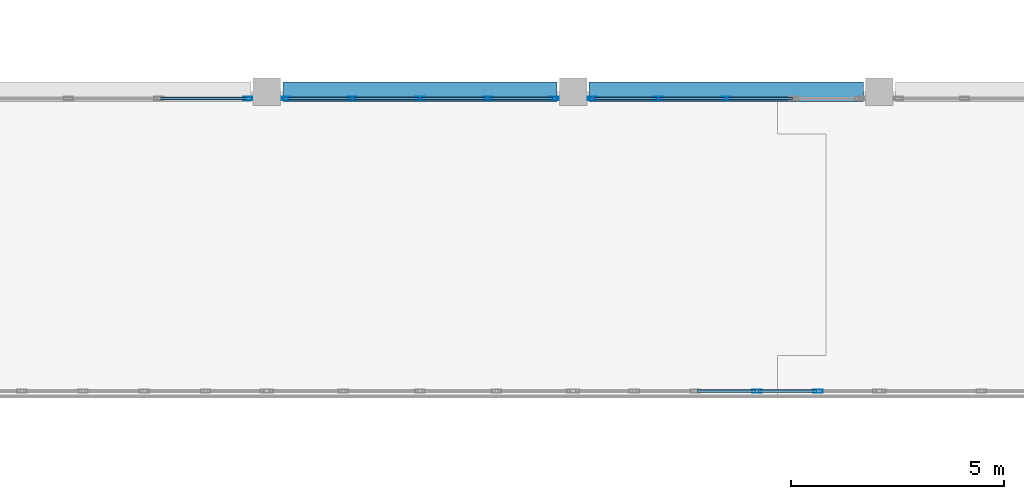
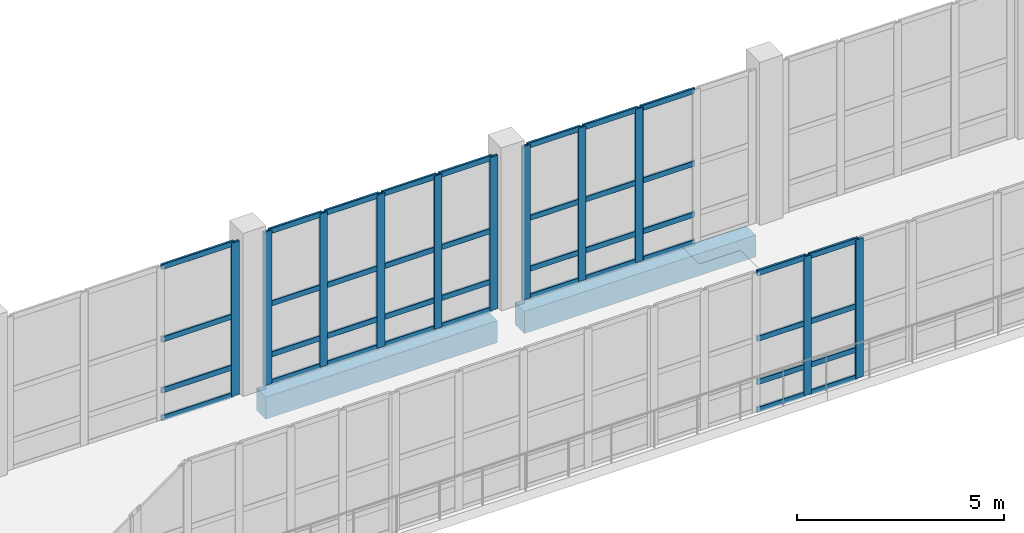
# One storey, part 24 of 127: 51 members, 2 beams, 4 elements without a shape of their own.
"""IFC4 building model written with IfcOpenShell, lengths in metres."""

from ifc_helpers import new_model, si_unit, direction, frame, origin, origin_2d, place, context, subcontext, project, spatial, rectangle, hollow_rectangle, extrude, material, material_profile, profile_set, type_object, element, aggregate, save


model = new_model("IFC4")

# Units and contexts
model_context = context("Model", 3, precision=1e-05, world=origin(), true_north=direction((0.0, 1.0)))
body_context = subcontext(model_context, "Body", "Model", "MODEL_VIEW")
ifc_project = project(units=[si_unit("LENGTHUNIT", "METRE"), si_unit("AREAUNIT", "SQUARE_METRE"), si_unit("VOLUMEUNIT", "CUBIC_METRE"), si_unit("PLANEANGLEUNIT", "RADIAN"), si_unit("MASSUNIT", "GRAM", prefix="KILO")], contexts=[model_context])

# Site, building, storey
site_placement = place(None, origin())
site = spatial("IfcSite", under=ifc_project, at=site_placement, CompositionType="ELEMENT")
building_placement = place(site_placement, origin())
building = spatial("IfcBuilding", under=site, at=building_placement, Name="Kalmorath City Hall", CompositionType="ELEMENT")
storey_placement = place(building_placement, frame((0.0, 0.0, 5.39990234375)))
storey = spatial("IfcBuildingStorey", under=building, at=storey_placement, Name="L01", CompositionType="ELEMENT", Elevation=5.39990234375)

# Beams
ifc_material_1 = material(Name="Concrete C40/50", Category="concrete")
ifc_material_profile_1 = material_profile(ifc_material_1, rectangle(XDim=0.449951171875, YDim=0.64990234375, at=origin_2d()), Name="RC-BM-450X650")
ifc_profile_set_1 = profile_set([ifc_material_profile_1], Name="Concrete C40/50")
beam_type = type_object("IfcBeamType", Name="Concrete spandrel beam 450x650", PredefinedType="SPANDREL", material=ifc_profile_set_1)
beam_1_placement = place(storey_placement, frame((50.77490234375, 43.199951171875, -0.64892578125), z_axis=(1.0, 0.0, 0.0), x_axis=(0.0, 1.0, 0.0)))
element("IfcBeam", 1, at=beam_1_placement, inside=storey, type_object=beam_type, Name="L01 girder CB5 X8-9/7", PredefinedType="SPANDREL", context=body_context, shape_type="SweptSolid", body=[
    extrude(rectangle(XDim=0.449951171875, YDim=0.64990234375, at=origin_2d()), origin(), (0.0, 0.0, 1.0), 6.4501953125),
])
beam_2_placement = place(storey_placement, frame((57.97509765625, 43.199951171875, -0.64892578125), z_axis=(1.0, 0.0, 0.0), x_axis=(0.0, 1.0, 0.0)))
element("IfcBeam", 2, at=beam_2_placement, inside=storey, type_object=beam_type, Name="L01 girder CB5 X9-10/7", PredefinedType="SPANDREL", context=body_context, shape_type="SweptSolid", body=[
    extrude(rectangle(XDim=0.449951171875, YDim=0.64990234375, at=origin_2d()), origin(), (0.0, 0.0, 1.0), 6.449951171875),
])

# Curtain wall, members
ifc_material_2 = material(Name="Anodised aluminium and laminated glass", Category="aluminium")
curtain_wall_type_1 = type_object("IfcCurtainWallType", Name="Unitised hurricane curtain wall 7200x4090 M1500", PredefinedType="NOTDEFINED", material=ifc_material_2)
curtain_wall_1_placement = place(storey_placement, origin())
curtain_wall_1 = element("IfcCurtainWall", 3, at=curtain_wall_1_placement, inside=storey, type_object=curtain_wall_type_1, Name="L01 curtain wall CW-72X41M15 #76", PredefinedType="NOTDEFINED")
ifc_material_3 = material(Name="Anodised aluminium framing", Category="aluminium")
ifc_material_profile_2 = material_profile(ifc_material_3, hollow_rectangle(XDim=0.074951171875, YDim=0.219970703125, WallThickness=0.00390625, InnerFilletRadius=0.00390625, OuterFilletRadius=0.008056640625, at=origin_2d()), Name="ALU-MUL-220X75X4")
ifc_profile_set_2 = profile_set([ifc_material_profile_2], Name="Anodised aluminium framing")
member_type_1 = type_object("IfcMemberType", Name="Curtain-wall primary mullion 220x75", PredefinedType="MULLION", material=ifc_profile_set_2)
member_1_placement = place(storey_placement, frame((63.360107421875, 36.159912109375, 0.0), z_axis=(0.0, 0.0, 1.0), x_axis=(0.0, -1.0, 0.0)))
member_1 = element("IfcMember", 4, at=member_1_placement, type_object=member_type_1, Name="CW-72X41M15 mullion 2", PredefinedType="MULLION", context=body_context, shape_type="SweptSolid", body=[
    extrude(hollow_rectangle(XDim=0.074951171875, YDim=0.219970703125, WallThickness=0.00390625, InnerFilletRadius=0.00390625, OuterFilletRadius=0.008056640625, at=origin_2d()), origin(), (0.0, 0.0, 1.0), 4.090087890625),
])
member_2_placement = place(storey_placement, frame((61.919921875, 36.159912109375, 0.0), z_axis=(0.0, 0.0, 1.0), x_axis=(0.0, -1.0, 0.0)))
member_2 = element("IfcMember", 5, at=member_2_placement, type_object=member_type_1, Name="CW-72X41M15 mullion 3", PredefinedType="MULLION", context=body_context, shape_type="SweptSolid", body=[
    extrude(hollow_rectangle(XDim=0.074951171875, YDim=0.219970703125, WallThickness=0.00390625, InnerFilletRadius=0.00390625, OuterFilletRadius=0.008056640625, at=origin_2d()), origin(), (0.0, 0.0, 1.0), 4.090087890625),
])

# Curtain wall, member
ifc_material_4 = material(Name="Anodised aluminium and laminated glass", Category="aluminium")
curtain_wall_type_2 = type_object("IfcCurtainWallType", Name="Unitised hurricane curtain wall 6370x4520 M2100", PredefinedType="NOTDEFINED", material=ifc_material_4)
curtain_wall_2_placement = place(storey_placement, origin())
curtain_wall_2 = element("IfcCurtainWall", 6, at=curtain_wall_2_placement, inside=storey, type_object=curtain_wall_type_2, Name="L01 curtain wall CW-64X45M21 #83", PredefinedType="NOTDEFINED")
member_3_placement = place(storey_placement, frame((49.947509765625, 43.0400390625, 0.0), z_axis=(0.0, 0.0, 1.0), x_axis=(0.0, 1.0, 0.0)))
member_3 = element("IfcMember", 7, at=member_3_placement, type_object=member_type_1, Name="CW-64X45M21 mullion 4", PredefinedType="MULLION", context=body_context, shape_type="SweptSolid", body=[
    extrude(hollow_rectangle(XDim=0.074951171875, YDim=0.219970703125, WallThickness=0.00390625, InnerFilletRadius=0.00390625, OuterFilletRadius=0.008056640625, at=origin_2d()), origin(), (0.0, 0.0, 1.0), 4.52001953125),
])

# Curtain wall, members
ifc_material_5 = material(Name="Anodised aluminium and laminated glass", Category="aluminium")
curtain_wall_type_3 = type_object("IfcCurtainWallType", Name="Unitised hurricane curtain wall 6370x4520 M1500", PredefinedType="NOTDEFINED", material=ifc_material_5)
curtain_wall_3_placement = place(storey_placement, origin())
curtain_wall_3 = element("IfcCurtainWall", 8, at=curtain_wall_3_placement, inside=storey, type_object=curtain_wall_type_3, Name="L01 curtain wall CW-64X45M15 #84", PredefinedType="NOTDEFINED")
member_4_placement = place(storey_placement, frame((50.8525390625, 43.0400390625, 0.0), z_axis=(0.0, 0.0, 1.0), x_axis=(0.0, 1.0, 0.0)))
member_4 = element("IfcMember", 9, at=member_4_placement, type_object=member_type_1, Name="CW-64X45M15 mullion 1", PredefinedType="MULLION", context=body_context, shape_type="SweptSolid", body=[
    extrude(hollow_rectangle(XDim=0.074951171875, YDim=0.219970703125, WallThickness=0.00390625, InnerFilletRadius=0.00390625, OuterFilletRadius=0.008056640625, at=origin_2d()), origin(), (0.0, 0.0, 1.0), 4.52001953125),
])
member_5_placement = place(storey_placement, frame((52.407470703125, 43.0400390625, 0.0), z_axis=(0.0, 0.0, 1.0), x_axis=(0.0, 1.0, 0.0)))
member_5 = element("IfcMember", 10, at=member_5_placement, type_object=member_type_1, Name="CW-64X45M15 mullion 2", PredefinedType="MULLION", context=body_context, shape_type="SweptSolid", body=[
    extrude(hollow_rectangle(XDim=0.074951171875, YDim=0.219970703125, WallThickness=0.00390625, InnerFilletRadius=0.00390625, OuterFilletRadius=0.008056640625, at=origin_2d()), origin(), (0.0, 0.0, 1.0), 4.52001953125),
])
member_6_placement = place(storey_placement, frame((54.0, 43.0400390625, 0.0), z_axis=(0.0, 0.0, 1.0), x_axis=(0.0, 1.0, 0.0)))
member_6 = element("IfcMember", 11, at=member_6_placement, type_object=member_type_1, Name="CW-64X45M15 mullion 3", PredefinedType="MULLION", context=body_context, shape_type="SweptSolid", body=[
    extrude(hollow_rectangle(XDim=0.074951171875, YDim=0.219970703125, WallThickness=0.00390625, InnerFilletRadius=0.00390625, OuterFilletRadius=0.008056640625, at=origin_2d()), origin(), (0.0, 0.0, 1.0), 4.52001953125),
])
member_7_placement = place(storey_placement, frame((55.592529296875, 43.0400390625, 0.0), z_axis=(0.0, 0.0, 1.0), x_axis=(0.0, 1.0, 0.0)))
member_7 = element("IfcMember", 12, at=member_7_placement, type_object=member_type_1, Name="CW-64X45M15 mullion 4", PredefinedType="MULLION", context=body_context, shape_type="SweptSolid", body=[
    extrude(hollow_rectangle(XDim=0.074951171875, YDim=0.219970703125, WallThickness=0.00390625, InnerFilletRadius=0.00390625, OuterFilletRadius=0.008056640625, at=origin_2d()), origin(), (0.0, 0.0, 1.0), 4.52001953125),
])
member_8_placement = place(storey_placement, frame((57.1474609375, 43.0400390625, 0.0), z_axis=(0.0, 0.0, 1.0), x_axis=(0.0, 1.0, 0.0)))
member_8 = element("IfcMember", 13, at=member_8_placement, type_object=member_type_1, Name="CW-64X45M15 mullion 5", PredefinedType="MULLION", context=body_context, shape_type="SweptSolid", body=[
    extrude(hollow_rectangle(XDim=0.074951171875, YDim=0.219970703125, WallThickness=0.00390625, InnerFilletRadius=0.00390625, OuterFilletRadius=0.008056640625, at=origin_2d()), origin(), (0.0, 0.0, 1.0), 4.52001953125),
])

ifc_material_6 = material(Name="Anodised aluminium and laminated glass", Category="aluminium")
curtain_wall_type_4 = type_object("IfcCurtainWallType", Name="Unitised hurricane curtain wall 6370x4520 M1800", PredefinedType="NOTDEFINED", material=ifc_material_6)
curtain_wall_4_placement = place(storey_placement, origin())
curtain_wall_4 = element("IfcCurtainWall", 14, at=curtain_wall_4_placement, inside=storey, type_object=curtain_wall_type_4, Name="L01 curtain wall CW-64X45M18 #85", PredefinedType="NOTDEFINED")
member_9_placement = place(storey_placement, frame((58.052490234375, 43.0400390625, 0.0), z_axis=(0.0, 0.0, 1.0), x_axis=(0.0, 1.0, 0.0)))
member_9 = element("IfcMember", 15, at=member_9_placement, type_object=member_type_1, Name="CW-64X45M18 mullion 1", PredefinedType="MULLION", context=body_context, shape_type="SweptSolid", body=[
    extrude(hollow_rectangle(XDim=0.074951171875, YDim=0.219970703125, WallThickness=0.00390625, InnerFilletRadius=0.00390625, OuterFilletRadius=0.008056640625, at=origin_2d()), origin(), (0.0, 0.0, 1.0), 4.52001953125),
])
member_10_placement = place(storey_placement, frame((59.607421875, 43.0400390625, 0.0), z_axis=(0.0, 0.0, 1.0), x_axis=(0.0, 1.0, 0.0)))
member_10 = element("IfcMember", 16, at=member_10_placement, type_object=member_type_1, Name="CW-64X45M18 mullion 2", PredefinedType="MULLION", context=body_context, shape_type="SweptSolid", body=[
    extrude(hollow_rectangle(XDim=0.074951171875, YDim=0.219970703125, WallThickness=0.00390625, InnerFilletRadius=0.00390625, OuterFilletRadius=0.008056640625, at=origin_2d()), origin(), (0.0, 0.0, 1.0), 4.52001953125),
])
member_11_placement = place(storey_placement, frame((61.199951171875, 43.0400390625, 0.0), z_axis=(0.0, 0.0, 1.0), x_axis=(0.0, 1.0, 0.0)))
member_11 = element("IfcMember", 17, at=member_11_placement, type_object=member_type_1, Name="CW-64X45M18 mullion 3", PredefinedType="MULLION", context=body_context, shape_type="SweptSolid", body=[
    extrude(hollow_rectangle(XDim=0.074951171875, YDim=0.219970703125, WallThickness=0.00390625, InnerFilletRadius=0.00390625, OuterFilletRadius=0.008056640625, at=origin_2d()), origin(), (0.0, 0.0, 1.0), 4.52001953125),
])

# Member
ifc_material_7 = material(Name="Anodised aluminium framing", Category="aluminium")
ifc_material_profile_3 = material_profile(ifc_material_7, hollow_rectangle(XDim=0.06494140625, YDim=0.159912109375, WallThickness=0.00390625, InnerFilletRadius=0.00390625, OuterFilletRadius=0.008056640625, at=origin_2d()), Name="ALU-TRN-160X65X4")
ifc_profile_set_3 = profile_set([ifc_material_profile_3], Name="Anodised aluminium framing")
member_type_2 = type_object("IfcMemberType", Name="Curtain-wall primary transom 160x65", PredefinedType="USERDEFINED", material=ifc_profile_set_3)
member_12_placement = place(storey_placement, frame((63.322509765625, 36.159912109375, 0.03271484375), z_axis=(-1.0, 0.0, 0.0), x_axis=(0.0, -1.0, 0.0)))
member_12 = element("IfcMember", 18, at=member_12_placement, type_object=member_type_2, Name="CW-72X41M15 transom 2.1", ObjectType="TRANSOM", PredefinedType="USERDEFINED", context=body_context, shape_type="SweptSolid", body=[
    extrude(hollow_rectangle(XDim=0.06494140625, YDim=0.159912109375, WallThickness=0.00390625, InnerFilletRadius=0.00390625, OuterFilletRadius=0.008056640625, at=origin_2d()), origin(), (0.0, 0.0, 1.0), 1.364990234375),
])

member_13_placement = place(storey_placement, frame((63.322509765625, 36.159912109375, 0.85009765625), z_axis=(-1.0, 0.0, 0.0), x_axis=(0.0, -1.0, 0.0)))
member_13 = element("IfcMember", 19, at=member_13_placement, type_object=member_type_2, Name="CW-72X41M15 transom 2.2", ObjectType="TRANSOM", PredefinedType="USERDEFINED", context=body_context, shape_type="SweptSolid", body=[
    extrude(hollow_rectangle(XDim=0.06494140625, YDim=0.159912109375, WallThickness=0.00390625, InnerFilletRadius=0.00390625, OuterFilletRadius=0.008056640625, at=origin_2d()), origin(), (0.0, 0.0, 1.0), 1.364990234375),
])

member_14_placement = place(storey_placement, frame((63.322509765625, 36.159912109375, 2.127197265625), z_axis=(-1.0, 0.0, 0.0), x_axis=(0.0, -1.0, 0.0)))
member_14 = element("IfcMember", 20, at=member_14_placement, type_object=member_type_2, Name="CW-72X41M15 transom 2.3", ObjectType="TRANSOM", PredefinedType="USERDEFINED", context=body_context, shape_type="SweptSolid", body=[
    extrude(hollow_rectangle(XDim=0.06494140625, YDim=0.159912109375, WallThickness=0.00390625, InnerFilletRadius=0.00390625, OuterFilletRadius=0.008056640625, at=origin_2d()), origin(), (0.0, 0.0, 1.0), 1.364990234375),
])

member_15_placement = place(storey_placement, frame((63.322509765625, 36.159912109375, 4.0576171875), z_axis=(-1.0, 0.0, 0.0), x_axis=(0.0, -1.0, 0.0)))
member_15 = element("IfcMember", 21, at=member_15_placement, type_object=member_type_2, Name="CW-72X41M15 transom 2.4", ObjectType="TRANSOM", PredefinedType="USERDEFINED", context=body_context, shape_type="SweptSolid", body=[
    extrude(hollow_rectangle(XDim=0.06494140625, YDim=0.159912109375, WallThickness=0.00390625, InnerFilletRadius=0.00390625, OuterFilletRadius=0.008056640625, at=origin_2d()), origin(), (0.0, 0.0, 1.0), 1.364990234375),
])

member_16_placement = place(storey_placement, frame((61.882568359375, 36.159912109375, 0.03271484375), z_axis=(-1.0, 0.0, 0.0), x_axis=(0.0, -1.0, 0.0)))
member_16 = element("IfcMember", 22, at=member_16_placement, type_object=member_type_2, Name="CW-72X41M15 transom 3.1", ObjectType="TRANSOM", PredefinedType="USERDEFINED", context=body_context, shape_type="SweptSolid", body=[
    extrude(hollow_rectangle(XDim=0.06494140625, YDim=0.159912109375, WallThickness=0.00390625, InnerFilletRadius=0.00390625, OuterFilletRadius=0.008056640625, at=origin_2d()), origin(), (0.0, 0.0, 1.0), 1.364990234375),
])

member_17_placement = place(storey_placement, frame((61.882568359375, 36.159912109375, 0.85009765625), z_axis=(-1.0, 0.0, 0.0), x_axis=(0.0, -1.0, 0.0)))
member_17 = element("IfcMember", 23, at=member_17_placement, type_object=member_type_2, Name="CW-72X41M15 transom 3.2", ObjectType="TRANSOM", PredefinedType="USERDEFINED", context=body_context, shape_type="SweptSolid", body=[
    extrude(hollow_rectangle(XDim=0.06494140625, YDim=0.159912109375, WallThickness=0.00390625, InnerFilletRadius=0.00390625, OuterFilletRadius=0.008056640625, at=origin_2d()), origin(), (0.0, 0.0, 1.0), 1.364990234375),
])

member_18_placement = place(storey_placement, frame((61.882568359375, 36.159912109375, 2.127197265625), z_axis=(-1.0, 0.0, 0.0), x_axis=(0.0, -1.0, 0.0)))
member_18 = element("IfcMember", 24, at=member_18_placement, type_object=member_type_2, Name="CW-72X41M15 transom 3.3", ObjectType="TRANSOM", PredefinedType="USERDEFINED", context=body_context, shape_type="SweptSolid", body=[
    extrude(hollow_rectangle(XDim=0.06494140625, YDim=0.159912109375, WallThickness=0.00390625, InnerFilletRadius=0.00390625, OuterFilletRadius=0.008056640625, at=origin_2d()), origin(), (0.0, 0.0, 1.0), 1.364990234375),
])

member_19_placement = place(storey_placement, frame((61.882568359375, 36.159912109375, 4.0576171875), z_axis=(-1.0, 0.0, 0.0), x_axis=(0.0, -1.0, 0.0)))
member_19 = element("IfcMember", 25, at=member_19_placement, type_object=member_type_2, Name="CW-72X41M15 transom 3.4", ObjectType="TRANSOM", PredefinedType="USERDEFINED", context=body_context, shape_type="SweptSolid", body=[
    extrude(hollow_rectangle(XDim=0.06494140625, YDim=0.159912109375, WallThickness=0.00390625, InnerFilletRadius=0.00390625, OuterFilletRadius=0.008056640625, at=origin_2d()), origin(), (0.0, 0.0, 1.0), 1.364990234375),
])

aggregate(curtain_wall_1, [member_1, member_2, member_12, member_13, member_14, member_15, member_16, member_17, member_18, member_19])

member_20_placement = place(storey_placement, frame((47.899169921875, 43.0400390625, 0.03271484375), z_axis=(1.0, 0.0, 0.0), x_axis=(0.0, 1.0, 0.0)))
member_20 = element("IfcMember", 26, at=member_20_placement, type_object=member_type_2, Name="CW-64X45M21 transom 3.1", ObjectType="TRANSOM", PredefinedType="USERDEFINED", context=body_context, shape_type="SweptSolid", body=[
    extrude(hollow_rectangle(XDim=0.06494140625, YDim=0.159912109375, WallThickness=0.00390625, InnerFilletRadius=0.00390625, OuterFilletRadius=0.008056640625, at=origin_2d()), origin(), (0.0, 0.0, 1.0), 2.0107421875),
])

member_21_placement = place(storey_placement, frame((47.899169921875, 43.0400390625, 0.85009765625), z_axis=(1.0, 0.0, 0.0), x_axis=(0.0, 1.0, 0.0)))
member_21 = element("IfcMember", 27, at=member_21_placement, type_object=member_type_2, Name="CW-64X45M21 transom 3.2", ObjectType="TRANSOM", PredefinedType="USERDEFINED", context=body_context, shape_type="SweptSolid", body=[
    extrude(hollow_rectangle(XDim=0.06494140625, YDim=0.159912109375, WallThickness=0.00390625, InnerFilletRadius=0.00390625, OuterFilletRadius=0.008056640625, at=origin_2d()), origin(), (0.0, 0.0, 1.0), 2.0107421875),
])

member_22_placement = place(storey_placement, frame((47.899169921875, 43.0400390625, 2.35009765625), z_axis=(1.0, 0.0, 0.0), x_axis=(0.0, 1.0, 0.0)))
member_22 = element("IfcMember", 28, at=member_22_placement, type_object=member_type_2, Name="CW-64X45M21 transom 3.3", ObjectType="TRANSOM", PredefinedType="USERDEFINED", context=body_context, shape_type="SweptSolid", body=[
    extrude(hollow_rectangle(XDim=0.06494140625, YDim=0.159912109375, WallThickness=0.00390625, InnerFilletRadius=0.00390625, OuterFilletRadius=0.008056640625, at=origin_2d()), origin(), (0.0, 0.0, 1.0), 2.0107421875),
])

member_23_placement = place(storey_placement, frame((47.899169921875, 43.0400390625, 4.487548828125), z_axis=(1.0, 0.0, 0.0), x_axis=(0.0, 1.0, 0.0)))
member_23 = element("IfcMember", 29, at=member_23_placement, type_object=member_type_2, Name="CW-64X45M21 transom 3.4", ObjectType="TRANSOM", PredefinedType="USERDEFINED", context=body_context, shape_type="SweptSolid", body=[
    extrude(hollow_rectangle(XDim=0.06494140625, YDim=0.159912109375, WallThickness=0.00390625, InnerFilletRadius=0.00390625, OuterFilletRadius=0.008056640625, at=origin_2d()), origin(), (0.0, 0.0, 1.0), 2.0107421875),
])

aggregate(curtain_wall_2, [member_3, member_20, member_21, member_22, member_23])

member_24_placement = place(storey_placement, frame((50.889892578125, 43.0400390625, 0.03271484375), z_axis=(1.0, 0.0, 0.0), x_axis=(0.0, 1.0, 0.0)))
member_24 = element("IfcMember", 30, at=member_24_placement, type_object=member_type_2, Name="CW-64X45M15 transom 1.1", ObjectType="TRANSOM", PredefinedType="USERDEFINED", context=body_context, shape_type="SweptSolid", body=[
    extrude(hollow_rectangle(XDim=0.06494140625, YDim=0.159912109375, WallThickness=0.00390625, InnerFilletRadius=0.00390625, OuterFilletRadius=0.008056640625, at=origin_2d()), origin(), (0.0, 0.0, 1.0), 1.480224609375),
])

member_25_placement = place(storey_placement, frame((50.889892578125, 43.0400390625, 0.85009765625), z_axis=(1.0, 0.0, 0.0), x_axis=(0.0, 1.0, 0.0)))
member_25 = element("IfcMember", 31, at=member_25_placement, type_object=member_type_2, Name="CW-64X45M15 transom 1.2", ObjectType="TRANSOM", PredefinedType="USERDEFINED", context=body_context, shape_type="SweptSolid", body=[
    extrude(hollow_rectangle(XDim=0.06494140625, YDim=0.159912109375, WallThickness=0.00390625, InnerFilletRadius=0.00390625, OuterFilletRadius=0.008056640625, at=origin_2d()), origin(), (0.0, 0.0, 1.0), 1.480224609375),
])

member_26_placement = place(storey_placement, frame((50.889892578125, 43.0400390625, 2.35009765625), z_axis=(1.0, 0.0, 0.0), x_axis=(0.0, 1.0, 0.0)))
member_26 = element("IfcMember", 32, at=member_26_placement, type_object=member_type_2, Name="CW-64X45M15 transom 1.3", ObjectType="TRANSOM", PredefinedType="USERDEFINED", context=body_context, shape_type="SweptSolid", body=[
    extrude(hollow_rectangle(XDim=0.06494140625, YDim=0.159912109375, WallThickness=0.00390625, InnerFilletRadius=0.00390625, OuterFilletRadius=0.008056640625, at=origin_2d()), origin(), (0.0, 0.0, 1.0), 1.480224609375),
])

member_27_placement = place(storey_placement, frame((50.889892578125, 43.0400390625, 4.487548828125), z_axis=(1.0, 0.0, 0.0), x_axis=(0.0, 1.0, 0.0)))
member_27 = element("IfcMember", 33, at=member_27_placement, type_object=member_type_2, Name="CW-64X45M15 transom 1.4", ObjectType="TRANSOM", PredefinedType="USERDEFINED", context=body_context, shape_type="SweptSolid", body=[
    extrude(hollow_rectangle(XDim=0.06494140625, YDim=0.159912109375, WallThickness=0.00390625, InnerFilletRadius=0.00390625, OuterFilletRadius=0.008056640625, at=origin_2d()), origin(), (0.0, 0.0, 1.0), 1.480224609375),
])

member_28_placement = place(storey_placement, frame((52.445068359375, 43.0400390625, 0.03271484375), z_axis=(1.0, 0.0, 0.0), x_axis=(0.0, 1.0, 0.0)))
member_28 = element("IfcMember", 34, at=member_28_placement, type_object=member_type_2, Name="CW-64X45M15 transom 2.1", ObjectType="TRANSOM", PredefinedType="USERDEFINED", context=body_context, shape_type="SweptSolid", body=[
    extrude(hollow_rectangle(XDim=0.06494140625, YDim=0.159912109375, WallThickness=0.00390625, InnerFilletRadius=0.00390625, OuterFilletRadius=0.008056640625, at=origin_2d()), origin(), (0.0, 0.0, 1.0), 1.517333984375),
])

member_29_placement = place(storey_placement, frame((52.445068359375, 43.0400390625, 0.85009765625), z_axis=(1.0, 0.0, 0.0), x_axis=(0.0, 1.0, 0.0)))
member_29 = element("IfcMember", 35, at=member_29_placement, type_object=member_type_2, Name="CW-64X45M15 transom 2.2", ObjectType="TRANSOM", PredefinedType="USERDEFINED", context=body_context, shape_type="SweptSolid", body=[
    extrude(hollow_rectangle(XDim=0.06494140625, YDim=0.159912109375, WallThickness=0.00390625, InnerFilletRadius=0.00390625, OuterFilletRadius=0.008056640625, at=origin_2d()), origin(), (0.0, 0.0, 1.0), 1.517333984375),
])

member_30_placement = place(storey_placement, frame((52.445068359375, 43.0400390625, 2.35009765625), z_axis=(1.0, 0.0, 0.0), x_axis=(0.0, 1.0, 0.0)))
member_30 = element("IfcMember", 36, at=member_30_placement, type_object=member_type_2, Name="CW-64X45M15 transom 2.3", ObjectType="TRANSOM", PredefinedType="USERDEFINED", context=body_context, shape_type="SweptSolid", body=[
    extrude(hollow_rectangle(XDim=0.06494140625, YDim=0.159912109375, WallThickness=0.00390625, InnerFilletRadius=0.00390625, OuterFilletRadius=0.008056640625, at=origin_2d()), origin(), (0.0, 0.0, 1.0), 1.517333984375),
])

member_31_placement = place(storey_placement, frame((52.445068359375, 43.0400390625, 4.487548828125), z_axis=(1.0, 0.0, 0.0), x_axis=(0.0, 1.0, 0.0)))
member_31 = element("IfcMember", 37, at=member_31_placement, type_object=member_type_2, Name="CW-64X45M15 transom 2.4", ObjectType="TRANSOM", PredefinedType="USERDEFINED", context=body_context, shape_type="SweptSolid", body=[
    extrude(hollow_rectangle(XDim=0.06494140625, YDim=0.159912109375, WallThickness=0.00390625, InnerFilletRadius=0.00390625, OuterFilletRadius=0.008056640625, at=origin_2d()), origin(), (0.0, 0.0, 1.0), 1.517333984375),
])

member_32_placement = place(storey_placement, frame((54.03759765625, 43.0400390625, 0.03271484375), z_axis=(1.0, 0.0, 0.0), x_axis=(0.0, 1.0, 0.0)))
member_32 = element("IfcMember", 38, at=member_32_placement, type_object=member_type_2, Name="CW-64X45M15 transom 3.1", ObjectType="TRANSOM", PredefinedType="USERDEFINED", context=body_context, shape_type="SweptSolid", body=[
    extrude(hollow_rectangle(XDim=0.06494140625, YDim=0.159912109375, WallThickness=0.00390625, InnerFilletRadius=0.00390625, OuterFilletRadius=0.008056640625, at=origin_2d()), origin(), (0.0, 0.0, 1.0), 1.517333984375),
])

member_33_placement = place(storey_placement, frame((54.03759765625, 43.0400390625, 0.85009765625), z_axis=(1.0, 0.0, 0.0), x_axis=(0.0, 1.0, 0.0)))
member_33 = element("IfcMember", 39, at=member_33_placement, type_object=member_type_2, Name="CW-64X45M15 transom 3.2", ObjectType="TRANSOM", PredefinedType="USERDEFINED", context=body_context, shape_type="SweptSolid", body=[
    extrude(hollow_rectangle(XDim=0.06494140625, YDim=0.159912109375, WallThickness=0.00390625, InnerFilletRadius=0.00390625, OuterFilletRadius=0.008056640625, at=origin_2d()), origin(), (0.0, 0.0, 1.0), 1.517333984375),
])

member_34_placement = place(storey_placement, frame((54.03759765625, 43.0400390625, 2.35009765625), z_axis=(1.0, 0.0, 0.0), x_axis=(0.0, 1.0, 0.0)))
member_34 = element("IfcMember", 40, at=member_34_placement, type_object=member_type_2, Name="CW-64X45M15 transom 3.3", ObjectType="TRANSOM", PredefinedType="USERDEFINED", context=body_context, shape_type="SweptSolid", body=[
    extrude(hollow_rectangle(XDim=0.06494140625, YDim=0.159912109375, WallThickness=0.00390625, InnerFilletRadius=0.00390625, OuterFilletRadius=0.008056640625, at=origin_2d()), origin(), (0.0, 0.0, 1.0), 1.517333984375),
])

member_35_placement = place(storey_placement, frame((54.03759765625, 43.0400390625, 4.487548828125), z_axis=(1.0, 0.0, 0.0), x_axis=(0.0, 1.0, 0.0)))
member_35 = element("IfcMember", 41, at=member_35_placement, type_object=member_type_2, Name="CW-64X45M15 transom 3.4", ObjectType="TRANSOM", PredefinedType="USERDEFINED", context=body_context, shape_type="SweptSolid", body=[
    extrude(hollow_rectangle(XDim=0.06494140625, YDim=0.159912109375, WallThickness=0.00390625, InnerFilletRadius=0.00390625, OuterFilletRadius=0.008056640625, at=origin_2d()), origin(), (0.0, 0.0, 1.0), 1.517333984375),
])

member_36_placement = place(storey_placement, frame((55.6298828125, 43.0400390625, 0.03271484375), z_axis=(1.0, 0.0, 0.0), x_axis=(0.0, 1.0, 0.0)))
member_36 = element("IfcMember", 42, at=member_36_placement, type_object=member_type_2, Name="CW-64X45M15 transom 4.1", ObjectType="TRANSOM", PredefinedType="USERDEFINED", context=body_context, shape_type="SweptSolid", body=[
    extrude(hollow_rectangle(XDim=0.06494140625, YDim=0.159912109375, WallThickness=0.00390625, InnerFilletRadius=0.00390625, OuterFilletRadius=0.008056640625, at=origin_2d()), origin(), (0.0, 0.0, 1.0), 1.480224609375),
])

member_37_placement = place(storey_placement, frame((55.6298828125, 43.0400390625, 0.85009765625), z_axis=(1.0, 0.0, 0.0), x_axis=(0.0, 1.0, 0.0)))
member_37 = element("IfcMember", 43, at=member_37_placement, type_object=member_type_2, Name="CW-64X45M15 transom 4.2", ObjectType="TRANSOM", PredefinedType="USERDEFINED", context=body_context, shape_type="SweptSolid", body=[
    extrude(hollow_rectangle(XDim=0.06494140625, YDim=0.159912109375, WallThickness=0.00390625, InnerFilletRadius=0.00390625, OuterFilletRadius=0.008056640625, at=origin_2d()), origin(), (0.0, 0.0, 1.0), 1.480224609375),
])

member_38_placement = place(storey_placement, frame((55.6298828125, 43.0400390625, 2.35009765625), z_axis=(1.0, 0.0, 0.0), x_axis=(0.0, 1.0, 0.0)))
member_38 = element("IfcMember", 44, at=member_38_placement, type_object=member_type_2, Name="CW-64X45M15 transom 4.3", ObjectType="TRANSOM", PredefinedType="USERDEFINED", context=body_context, shape_type="SweptSolid", body=[
    extrude(hollow_rectangle(XDim=0.06494140625, YDim=0.159912109375, WallThickness=0.00390625, InnerFilletRadius=0.00390625, OuterFilletRadius=0.008056640625, at=origin_2d()), origin(), (0.0, 0.0, 1.0), 1.480224609375),
])

member_39_placement = place(storey_placement, frame((55.6298828125, 43.0400390625, 4.487548828125), z_axis=(1.0, 0.0, 0.0), x_axis=(0.0, 1.0, 0.0)))
member_39 = element("IfcMember", 45, at=member_39_placement, type_object=member_type_2, Name="CW-64X45M15 transom 4.4", ObjectType="TRANSOM", PredefinedType="USERDEFINED", context=body_context, shape_type="SweptSolid", body=[
    extrude(hollow_rectangle(XDim=0.06494140625, YDim=0.159912109375, WallThickness=0.00390625, InnerFilletRadius=0.00390625, OuterFilletRadius=0.008056640625, at=origin_2d()), origin(), (0.0, 0.0, 1.0), 1.480224609375),
])

aggregate(curtain_wall_3, [member_4, member_5, member_6, member_7, member_8, member_24, member_25, member_26, member_27, member_28, member_29, member_30, member_31, member_32, member_33, member_34, member_35, member_36, member_37, member_38, member_39])

member_40_placement = place(storey_placement, frame((58.090087890625, 43.0400390625, 0.03271484375), z_axis=(1.0, 0.0, 0.0), x_axis=(0.0, 1.0, 0.0)))
member_40 = element("IfcMember", 46, at=member_40_placement, type_object=member_type_2, Name="CW-64X45M18 transom 1.1", ObjectType="TRANSOM", PredefinedType="USERDEFINED", context=body_context, shape_type="SweptSolid", body=[
    extrude(hollow_rectangle(XDim=0.06494140625, YDim=0.159912109375, WallThickness=0.00390625, InnerFilletRadius=0.00390625, OuterFilletRadius=0.008056640625, at=origin_2d()), origin(), (0.0, 0.0, 1.0), 1.47998046875),
])

member_41_placement = place(storey_placement, frame((58.090087890625, 43.0400390625, 0.85009765625), z_axis=(1.0, 0.0, 0.0), x_axis=(0.0, 1.0, 0.0)))
member_41 = element("IfcMember", 47, at=member_41_placement, type_object=member_type_2, Name="CW-64X45M18 transom 1.2", ObjectType="TRANSOM", PredefinedType="USERDEFINED", context=body_context, shape_type="SweptSolid", body=[
    extrude(hollow_rectangle(XDim=0.06494140625, YDim=0.159912109375, WallThickness=0.00390625, InnerFilletRadius=0.00390625, OuterFilletRadius=0.008056640625, at=origin_2d()), origin(), (0.0, 0.0, 1.0), 1.47998046875),
])

member_42_placement = place(storey_placement, frame((58.090087890625, 43.0400390625, 2.35009765625), z_axis=(1.0, 0.0, 0.0), x_axis=(0.0, 1.0, 0.0)))
member_42 = element("IfcMember", 48, at=member_42_placement, type_object=member_type_2, Name="CW-64X45M18 transom 1.3", ObjectType="TRANSOM", PredefinedType="USERDEFINED", context=body_context, shape_type="SweptSolid", body=[
    extrude(hollow_rectangle(XDim=0.06494140625, YDim=0.159912109375, WallThickness=0.00390625, InnerFilletRadius=0.00390625, OuterFilletRadius=0.008056640625, at=origin_2d()), origin(), (0.0, 0.0, 1.0), 1.47998046875),
])

member_43_placement = place(storey_placement, frame((58.090087890625, 43.0400390625, 4.487548828125), z_axis=(1.0, 0.0, 0.0), x_axis=(0.0, 1.0, 0.0)))
member_43 = element("IfcMember", 49, at=member_43_placement, type_object=member_type_2, Name="CW-64X45M18 transom 1.4", ObjectType="TRANSOM", PredefinedType="USERDEFINED", context=body_context, shape_type="SweptSolid", body=[
    extrude(hollow_rectangle(XDim=0.06494140625, YDim=0.159912109375, WallThickness=0.00390625, InnerFilletRadius=0.00390625, OuterFilletRadius=0.008056640625, at=origin_2d()), origin(), (0.0, 0.0, 1.0), 1.47998046875),
])

member_44_placement = place(storey_placement, frame((59.64501953125, 43.0400390625, 0.03271484375), z_axis=(1.0, 0.0, 0.0), x_axis=(0.0, 1.0, 0.0)))
member_44 = element("IfcMember", 50, at=member_44_placement, type_object=member_type_2, Name="CW-64X45M18 transom 2.1", ObjectType="TRANSOM", PredefinedType="USERDEFINED", context=body_context, shape_type="SweptSolid", body=[
    extrude(hollow_rectangle(XDim=0.06494140625, YDim=0.159912109375, WallThickness=0.00390625, InnerFilletRadius=0.00390625, OuterFilletRadius=0.008056640625, at=origin_2d()), origin(), (0.0, 0.0, 1.0), 1.517578125),
])

member_45_placement = place(storey_placement, frame((59.64501953125, 43.0400390625, 0.85009765625), z_axis=(1.0, 0.0, 0.0), x_axis=(0.0, 1.0, 0.0)))
member_45 = element("IfcMember", 51, at=member_45_placement, type_object=member_type_2, Name="CW-64X45M18 transom 2.2", ObjectType="TRANSOM", PredefinedType="USERDEFINED", context=body_context, shape_type="SweptSolid", body=[
    extrude(hollow_rectangle(XDim=0.06494140625, YDim=0.159912109375, WallThickness=0.00390625, InnerFilletRadius=0.00390625, OuterFilletRadius=0.008056640625, at=origin_2d()), origin(), (0.0, 0.0, 1.0), 1.517578125),
])

member_46_placement = place(storey_placement, frame((59.64501953125, 43.0400390625, 2.35009765625), z_axis=(1.0, 0.0, 0.0), x_axis=(0.0, 1.0, 0.0)))
member_46 = element("IfcMember", 52, at=member_46_placement, type_object=member_type_2, Name="CW-64X45M18 transom 2.3", ObjectType="TRANSOM", PredefinedType="USERDEFINED", context=body_context, shape_type="SweptSolid", body=[
    extrude(hollow_rectangle(XDim=0.06494140625, YDim=0.159912109375, WallThickness=0.00390625, InnerFilletRadius=0.00390625, OuterFilletRadius=0.008056640625, at=origin_2d()), origin(), (0.0, 0.0, 1.0), 1.517578125),
])

member_47_placement = place(storey_placement, frame((59.64501953125, 43.0400390625, 4.487548828125), z_axis=(1.0, 0.0, 0.0), x_axis=(0.0, 1.0, 0.0)))
member_47 = element("IfcMember", 53, at=member_47_placement, type_object=member_type_2, Name="CW-64X45M18 transom 2.4", ObjectType="TRANSOM", PredefinedType="USERDEFINED", context=body_context, shape_type="SweptSolid", body=[
    extrude(hollow_rectangle(XDim=0.06494140625, YDim=0.159912109375, WallThickness=0.00390625, InnerFilletRadius=0.00390625, OuterFilletRadius=0.008056640625, at=origin_2d()), origin(), (0.0, 0.0, 1.0), 1.517578125),
])

member_48_placement = place(storey_placement, frame((61.237548828125, 43.0400390625, 0.03271484375), z_axis=(1.0, 0.0, 0.0), x_axis=(0.0, 1.0, 0.0)))
member_48 = element("IfcMember", 54, at=member_48_placement, type_object=member_type_2, Name="CW-64X45M18 transom 3.1", ObjectType="TRANSOM", PredefinedType="USERDEFINED", context=body_context, shape_type="SweptSolid", body=[
    extrude(hollow_rectangle(XDim=0.06494140625, YDim=0.159912109375, WallThickness=0.00390625, InnerFilletRadius=0.00390625, OuterFilletRadius=0.008056640625, at=origin_2d()), origin(), (0.0, 0.0, 1.0), 1.517333984375),
])

member_49_placement = place(storey_placement, frame((61.237548828125, 43.0400390625, 0.85009765625), z_axis=(1.0, 0.0, 0.0), x_axis=(0.0, 1.0, 0.0)))
member_49 = element("IfcMember", 55, at=member_49_placement, type_object=member_type_2, Name="CW-64X45M18 transom 3.2", ObjectType="TRANSOM", PredefinedType="USERDEFINED", context=body_context, shape_type="SweptSolid", body=[
    extrude(hollow_rectangle(XDim=0.06494140625, YDim=0.159912109375, WallThickness=0.00390625, InnerFilletRadius=0.00390625, OuterFilletRadius=0.008056640625, at=origin_2d()), origin(), (0.0, 0.0, 1.0), 1.517333984375),
])

member_50_placement = place(storey_placement, frame((61.237548828125, 43.0400390625, 2.35009765625), z_axis=(1.0, 0.0, 0.0), x_axis=(0.0, 1.0, 0.0)))
member_50 = element("IfcMember", 56, at=member_50_placement, type_object=member_type_2, Name="CW-64X45M18 transom 3.3", ObjectType="TRANSOM", PredefinedType="USERDEFINED", context=body_context, shape_type="SweptSolid", body=[
    extrude(hollow_rectangle(XDim=0.06494140625, YDim=0.159912109375, WallThickness=0.00390625, InnerFilletRadius=0.00390625, OuterFilletRadius=0.008056640625, at=origin_2d()), origin(), (0.0, 0.0, 1.0), 1.517333984375),
])

member_51_placement = place(storey_placement, frame((61.237548828125, 43.0400390625, 4.487548828125), z_axis=(1.0, 0.0, 0.0), x_axis=(0.0, 1.0, 0.0)))
member_51 = element("IfcMember", 57, at=member_51_placement, type_object=member_type_2, Name="CW-64X45M18 transom 3.4", ObjectType="TRANSOM", PredefinedType="USERDEFINED", context=body_context, shape_type="SweptSolid", body=[
    extrude(hollow_rectangle(XDim=0.06494140625, YDim=0.159912109375, WallThickness=0.00390625, InnerFilletRadius=0.00390625, OuterFilletRadius=0.008056640625, at=origin_2d()), origin(), (0.0, 0.0, 1.0), 1.517333984375),
])

aggregate(curtain_wall_4, [member_9, member_10, member_11, member_40, member_41, member_42, member_43, member_44, member_45, member_46, member_47, member_48, member_49, member_50, member_51])

save(model, "model.ifc")
